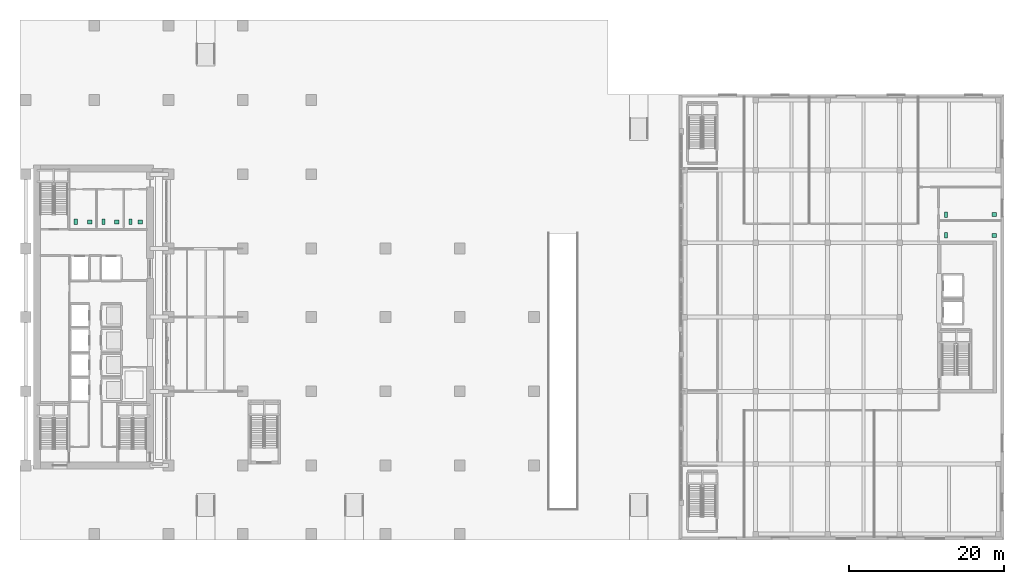
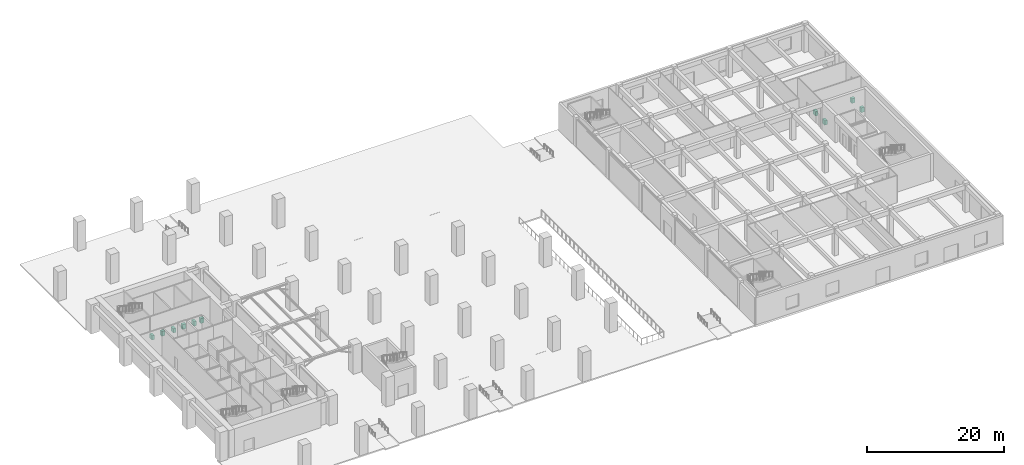
# One storey, part 23 of 24: 10 sanitary terminals.
"""IFC4 building model written with IfcOpenShell, lengths in metres."""

from ifc_helpers import new_model, si_unit, direction, frame, origin, origin_2d, place, context, subcontext, project, spatial, rectangle, extrude, material, type_object, element, save


model = new_model("IFC4")

# Units and contexts
model_context = context("Model", 3, precision=1e-05, world=origin(), true_north=direction((0.0, 1.0)))
body_context = subcontext(model_context, "Body", "Model", "MODEL_VIEW")
ifc_project = project(units=[si_unit("LENGTHUNIT", "METRE"), si_unit("AREAUNIT", "SQUARE_METRE"), si_unit("VOLUMEUNIT", "CUBIC_METRE"), si_unit("PLANEANGLEUNIT", "RADIAN"), si_unit("MASSUNIT", "GRAM", prefix="KILO")], contexts=[model_context])

# Site, building, storey
site_placement = place(None, origin())
site = spatial("IfcSite", under=ifc_project, at=site_placement, CompositionType="ELEMENT")
building_placement = place(site_placement, origin())
building = spatial("IfcBuilding", under=site, at=building_placement, Name="Norrvale University Quadrangle", CompositionType="ELEMENT")
storey_placement = place(building_placement, origin())
storey = spatial("IfcBuildingStorey", under=building, at=storey_placement, Name="L00", CompositionType="ELEMENT", Elevation=0.0)

# Sanitary terminals
ifc_material = material(Name="Vitreous China Sanitaryware")
sanitary_terminal_type_1 = type_object("IfcSanitaryTerminalType", Name="Sanitary Wash Basin", PredefinedType="WASHHANDBASIN", material=ifc_material)
for number, where, z_axis, x_axis, name in (
    (1, (9.0, 41.10009765625, 0.0), (0.0, 0.0, 1.0), (1.0, 0.0, 0.0), "Accessible Countertop Washbasin L00-1"),
    (2, (12.5, 41.10009765625, 0.0), (0.0, 0.0, 1.0), (1.0, 0.0, 0.0), "Accessible Countertop Washbasin L00-2"),
    (3, (15.550048828125, 41.10009765625, 0.0), (0.0, 0.0, 1.0), (1.0, 0.0, 0.0), "Accessible Countertop Washbasin L00-3"),
    (4, (125.949951171875, 39.35009765625, 0.0), (0.0, 0.0, 1.0), (1.0, 0.0, 0.0), "Accessible Countertop Washbasin L00-4"),
    (5, (125.949951171875, 42.050048828125, 0.0), (0.0, 0.0, 1.0), (1.0, 0.0, 0.0), "Accessible Countertop Washbasin L00-5"),
):
    element("IfcSanitaryTerminal", number, at=place(storey_placement, frame(where, z_axis=z_axis, x_axis=x_axis)), inside=storey, type_object=sanitary_terminal_type_1, Name=name, PredefinedType="WASHHANDBASIN", context=body_context, shape_type="SweptSolid", body=[
        extrude(rectangle(XDim=0.550048828125, YDim=0.47998046875, at=origin_2d()), origin(), (0.0, 0.0, 1.0), 0.85009765625),
    ])
sanitary_terminal_type_2 = type_object("IfcSanitaryTerminalType", Name="Sanitary Water Closet", PredefinedType="TOILETPAN", material=ifc_material)
for number, where, z_axis, x_axis, name in (
    (6, (7.199951171875, 41.10009765625, 0.0), (0.0, 0.0, 1.0), (1.0, 0.0, 0.0), "Wall-Hung Water Closet L00-1"),
    (7, (10.800048828125, 41.10009765625, 0.0), (0.0, 0.0, 1.0), (1.0, 0.0, 0.0), "Wall-Hung Water Closet L00-2"),
    (8, (14.300048828125, 41.10009765625, 0.0), (0.0, 0.0, 1.0), (1.0, 0.0, 0.0), "Wall-Hung Water Closet L00-3"),
    (9, (119.699951171875, 39.35009765625, 0.0), (0.0, 0.0, 1.0), (1.0, 0.0, 0.0), "Wall-Hung Water Closet L00-4"),
    (10, (119.699951171875, 42.050048828125, 0.0), (0.0, 0.0, 1.0), (1.0, 0.0, 0.0), "Wall-Hung Water Closet L00-5"),
):
    element("IfcSanitaryTerminal", number, at=place(storey_placement, frame(where, z_axis=z_axis, x_axis=x_axis)), inside=storey, type_object=sanitary_terminal_type_2, Name=name, PredefinedType="TOILETPAN", context=body_context, shape_type="SweptSolid", body=[
        extrude(rectangle(XDim=0.419921875, YDim=0.699951171875, at=origin_2d()), origin(), (0.0, 0.0, 1.0), 0.780029296875),
    ])

save(model, "model.ifc")
